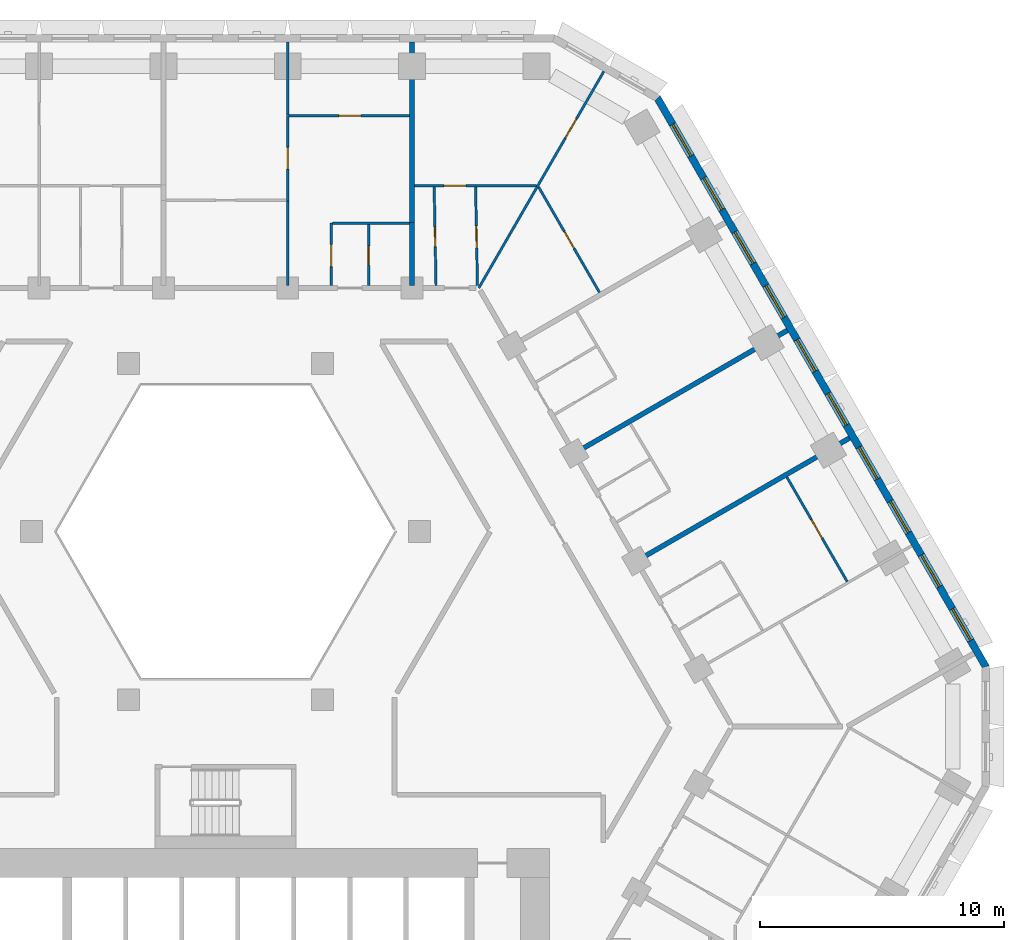
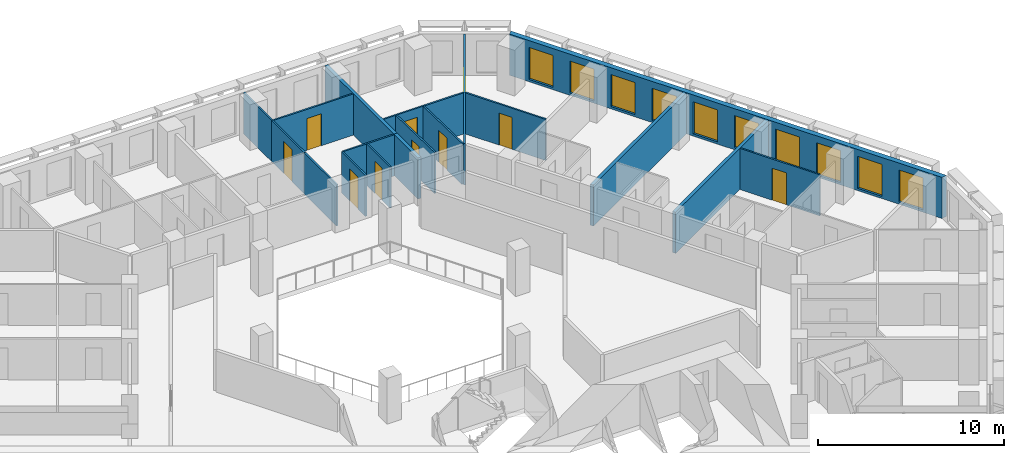
# One storey, part 11 of 21: 18 walls, 10 doors, 10 windows, 20 openings.
"""IFC4 building model written with IfcOpenShell, lengths in metres."""

from ifc_helpers import new_model, si_unit, direction, frame, frame_2d, origin, place, context, subcontext, project, spatial, polyline, rectangle, outline, extrude, material, layer, layer_set, type_object, element, fill, save


model = new_model("IFC4")

# Units and contexts
model_context = context("Model", 3, precision=1e-05, world=origin(), true_north=direction((0.0, 1.0)))
body_context = subcontext(model_context, "Body", "Model", "MODEL_VIEW")
ifc_project = project(units=[si_unit("LENGTHUNIT", "METRE"), si_unit("AREAUNIT", "SQUARE_METRE"), si_unit("VOLUMEUNIT", "CUBIC_METRE"), si_unit("PLANEANGLEUNIT", "RADIAN"), si_unit("MASSUNIT", "GRAM", prefix="KILO")], contexts=[model_context])

# Site, building, storey
site_placement = place(None, origin())
site = spatial("IfcSite", under=ifc_project, at=site_placement, CompositionType="ELEMENT")
building_placement = place(site_placement, origin())
building = spatial("IfcBuilding", under=site, at=building_placement, Name="Beryl Residences", CompositionType="ELEMENT")
storey_placement = place(building_placement, frame((0.0, 0.0, 41.39990234375)))
storey = spatial("IfcBuildingStorey", under=building, at=storey_placement, Name="L12", CompositionType="ELEMENT", Elevation=41.39990234375)

# Wall, openings, windows
ifc_material_1 = material(Name="Composite metal panel with mineral wool insulation")
ifc_layer_1 = layer(ifc_material_1, 0.300048828125)
ifc_layer_set_1 = layer_set([ifc_layer_1], Name="ES1 pale metal composite panel wall 300 mm")
wall_type_1 = type_object("IfcWallType", Name="ES1 pale metal composite panel wall 300 mm", PredefinedType="SOLIDWALL", material=ifc_layer_set_1)
wall_1_placement = place(storey_placement, frame((31.219970703125, 2.425048828125, 0.0), z_axis=(0.0, 0.0, 1.0), x_axis=(-0.500001938803, 0.866024284413, 0.0)))
wall_1 = element("IfcWall", 1, at=wall_1_placement, inside=storey, type_object=wall_type_1, Name="ES1 external wall L12 NE", PredefinedType="SOLIDWALL", context=body_context, shape_type="SweptSolid", body=[
    extrude(outline(polyline([(0.0, -0.14990234375), (27.02001953125, -0.14990234375), (26.939697265625, 0.14990234375), (0.080322265625, 0.14990234375), (0.0, -0.14990234375)])), origin(), (0.0, 0.0, 1.0), 2.7001953125),
])
opening_1_placement = place(wall_1_placement, frame((1.277099609375, 0.0, 0.14990234375)))
opening_1 = element("IfcOpeningElement", 2, at=opening_1_placement, cuts=wall_1, Name="Opening W1", PredefinedType="OPENING", context=body_context, shape_type="SweptSolid", body=[
    extrude(rectangle(XDim=1.5, YDim=2.10009765625, at=frame_2d((0.75, 1.050048828125))), frame((0.0, 0.159912109375, 0.0), z_axis=(0.0, -1.0, 0.0), x_axis=(1.0, 0.0, 0.0)), (0.0, 0.0, 1.0), 0.320068359375),
])
opening_2_placement = place(wall_1_placement, frame((3.8291015625, 0.0, 0.14990234375)))
opening_2 = element("IfcOpeningElement", 3, at=opening_2_placement, cuts=wall_1, Name="Opening W1", PredefinedType="OPENING", context=body_context, shape_type="SweptSolid", body=[
    extrude(rectangle(XDim=1.5, YDim=2.10009765625, at=frame_2d((0.75, 1.050048828125))), frame((0.0, 0.159912109375, 0.0), z_axis=(0.0, -1.0, 0.0), x_axis=(1.0, 0.0, 0.0)), (0.0, 0.0, 1.0), 0.320068359375),
])
opening_3_placement = place(wall_1_placement, frame((6.382080078125, 0.0, 0.14990234375)))
opening_3 = element("IfcOpeningElement", 4, at=opening_3_placement, cuts=wall_1, Name="Opening W1", PredefinedType="OPENING", context=body_context, shape_type="SweptSolid", body=[
    extrude(rectangle(XDim=1.5, YDim=2.10009765625, at=frame_2d((0.75, 1.050048828125))), frame((0.0, 0.159912109375, 0.0), z_axis=(0.0, -1.0, 0.0), x_axis=(1.0, 0.0, 0.0)), (0.0, 0.0, 1.0), 0.320068359375),
])
opening_4_placement = place(wall_1_placement, frame((8.93310546875, 0.0, 0.14990234375)))
opening_4 = element("IfcOpeningElement", 5, at=opening_4_placement, cuts=wall_1, Name="Opening W1", PredefinedType="OPENING", context=body_context, shape_type="SweptSolid", body=[
    extrude(rectangle(XDim=1.5, YDim=2.10009765625, at=frame_2d((0.75, 1.050048828125))), frame((0.0, 0.159912109375, 0.0), z_axis=(0.0, -1.0, 0.0), x_axis=(1.0, 0.0, 0.0)), (0.0, 0.0, 1.0), 0.320068359375),
])
opening_5_placement = place(wall_1_placement, frame((11.485107421875, 0.0, 0.14990234375)))
opening_5 = element("IfcOpeningElement", 6, at=opening_5_placement, cuts=wall_1, Name="Opening W1", PredefinedType="OPENING", context=body_context, shape_type="SweptSolid", body=[
    extrude(rectangle(XDim=1.5, YDim=2.10009765625, at=frame_2d((0.75, 1.050048828125))), frame((0.0, 0.159912109375, 0.0), z_axis=(0.0, -1.0, 0.0), x_axis=(1.0, 0.0, 0.0)), (0.0, 0.0, 1.0), 0.320068359375),
])
opening_6_placement = place(wall_1_placement, frame((14.037109375, 0.0, 0.14990234375)))
opening_6 = element("IfcOpeningElement", 7, at=opening_6_placement, cuts=wall_1, Name="Opening W1", PredefinedType="OPENING", context=body_context, shape_type="SweptSolid", body=[
    extrude(rectangle(XDim=1.5, YDim=2.10009765625, at=frame_2d((0.75, 1.050048828125))), frame((0.0, 0.159912109375, 0.0), z_axis=(0.0, -1.0, 0.0), x_axis=(1.0, 0.0, 0.0)), (0.0, 0.0, 1.0), 0.320068359375),
])
opening_7_placement = place(wall_1_placement, frame((16.589111328125, 0.0, 0.14990234375)))
opening_7 = element("IfcOpeningElement", 8, at=opening_7_placement, cuts=wall_1, Name="Opening W1", PredefinedType="OPENING", context=body_context, shape_type="SweptSolid", body=[
    extrude(rectangle(XDim=1.5, YDim=2.10009765625, at=frame_2d((0.75, 1.050048828125))), frame((0.0, 0.159912109375, 0.0), z_axis=(0.0, -1.0, 0.0), x_axis=(1.0, 0.0, 0.0)), (0.0, 0.0, 1.0), 0.320068359375),
])
opening_8_placement = place(wall_1_placement, frame((19.14111328125, 0.0, 0.14990234375)))
opening_8 = element("IfcOpeningElement", 9, at=opening_8_placement, cuts=wall_1, Name="Opening W1", PredefinedType="OPENING", context=body_context, shape_type="SweptSolid", body=[
    extrude(rectangle(XDim=1.5, YDim=2.10009765625, at=frame_2d((0.75, 1.050048828125))), frame((0.0, 0.159912109375, 0.0), z_axis=(0.0, -1.0, 0.0), x_axis=(1.0, 0.0, 0.0)), (0.0, 0.0, 1.0), 0.320068359375),
])
opening_9_placement = place(wall_1_placement, frame((21.693115234375, 0.0, 0.14990234375)))
opening_9 = element("IfcOpeningElement", 10, at=opening_9_placement, cuts=wall_1, Name="Opening W1", PredefinedType="OPENING", context=body_context, shape_type="SweptSolid", body=[
    extrude(rectangle(XDim=1.5, YDim=2.10009765625, at=frame_2d((0.75, 1.050048828125))), frame((0.0, 0.159912109375, 0.0), z_axis=(0.0, -1.0, 0.0), x_axis=(1.0, 0.0, 0.0)), (0.0, 0.0, 1.0), 0.320068359375),
])
opening_10_placement = place(wall_1_placement, frame((24.243896484375, 0.0, 0.14990234375)))
opening_10 = element("IfcOpeningElement", 11, at=opening_10_placement, cuts=wall_1, Name="Opening W1", PredefinedType="OPENING", context=body_context, shape_type="SweptSolid", body=[
    extrude(rectangle(XDim=1.5, YDim=2.10009765625, at=frame_2d((0.75, 1.050048828125))), frame((0.0, 0.159912109375, 0.0), z_axis=(0.0, -1.0, 0.0), x_axis=(1.0, 0.0, 0.0)), (0.0, 0.0, 1.0), 0.320068359375),
])
ifc_material_2 = material(Name="Aluminium and clear glass", Category="aluminium")
window_type = type_object("IfcWindowType", Name="W1 cell window 1500 x 2100 mm", PartitioningType="SINGLE_PANEL", PredefinedType="WINDOW", material=ifc_material_2)
window_1_placement = place(opening_1_placement, origin())
window_1 = element("IfcWindow", 12, at=window_1_placement, inside=storey, type_object=window_type, Name="W1 window L12 NE 1", OverallHeight=2.10009765625, OverallWidth=1.5, PartitioningType="SINGLE_PANEL", PredefinedType="WINDOW", context=body_context, shape_type="SweptSolid", body=[
    extrude(rectangle(XDim=1.5, YDim=2.10009765625, at=frame_2d((0.75, 1.050048828125))), frame((0.0, 0.030029296875, 0.0), z_axis=(0.0, -1.0, 0.0), x_axis=(1.0, 0.0, 0.0)), (0.0, 0.0, 1.0), 0.06005859375),
])
fill(opening_1, window_1)
window_2_placement = place(opening_2_placement, origin())
window_2 = element("IfcWindow", 13, at=window_2_placement, inside=storey, type_object=window_type, Name="W1 window L12 NE 2", OverallHeight=2.10009765625, OverallWidth=1.5, PartitioningType="SINGLE_PANEL", PredefinedType="WINDOW", context=body_context, shape_type="SweptSolid", body=[
    extrude(rectangle(XDim=1.5, YDim=2.10009765625, at=frame_2d((0.75, 1.050048828125))), frame((0.0, 0.030029296875, 0.0), z_axis=(0.0, -1.0, 0.0), x_axis=(1.0, 0.0, 0.0)), (0.0, 0.0, 1.0), 0.06005859375),
])
fill(opening_2, window_2)
window_3_placement = place(opening_3_placement, origin())
window_3 = element("IfcWindow", 14, at=window_3_placement, inside=storey, type_object=window_type, Name="W1 window L12 NE 3", OverallHeight=2.10009765625, OverallWidth=1.5, PartitioningType="SINGLE_PANEL", PredefinedType="WINDOW", context=body_context, shape_type="SweptSolid", body=[
    extrude(rectangle(XDim=1.5, YDim=2.10009765625, at=frame_2d((0.75, 1.050048828125))), frame((0.0, 0.030029296875, 0.0), z_axis=(0.0, -1.0, 0.0), x_axis=(1.0, 0.0, 0.0)), (0.0, 0.0, 1.0), 0.06005859375),
])
fill(opening_3, window_3)
window_4_placement = place(opening_4_placement, origin())
window_4 = element("IfcWindow", 15, at=window_4_placement, inside=storey, type_object=window_type, Name="W1 window L12 NE 4", OverallHeight=2.10009765625, OverallWidth=1.5, PartitioningType="SINGLE_PANEL", PredefinedType="WINDOW", context=body_context, shape_type="SweptSolid", body=[
    extrude(rectangle(XDim=1.5, YDim=2.10009765625, at=frame_2d((0.75, 1.050048828125))), frame((0.0, 0.030029296875, 0.0), z_axis=(0.0, -1.0, 0.0), x_axis=(1.0, 0.0, 0.0)), (0.0, 0.0, 1.0), 0.06005859375),
])
fill(opening_4, window_4)
window_5_placement = place(opening_5_placement, origin())
window_5 = element("IfcWindow", 16, at=window_5_placement, inside=storey, type_object=window_type, Name="W1 window L12 NE 5", OverallHeight=2.10009765625, OverallWidth=1.5, PartitioningType="SINGLE_PANEL", PredefinedType="WINDOW", context=body_context, shape_type="SweptSolid", body=[
    extrude(rectangle(XDim=1.5, YDim=2.10009765625, at=frame_2d((0.75, 1.050048828125))), frame((0.0, 0.030029296875, 0.0), z_axis=(0.0, -1.0, 0.0), x_axis=(1.0, 0.0, 0.0)), (0.0, 0.0, 1.0), 0.06005859375),
])
fill(opening_5, window_5)
window_6_placement = place(opening_6_placement, origin())
window_6 = element("IfcWindow", 17, at=window_6_placement, inside=storey, type_object=window_type, Name="W1 window L12 NE 6", OverallHeight=2.10009765625, OverallWidth=1.5, PartitioningType="SINGLE_PANEL", PredefinedType="WINDOW", context=body_context, shape_type="SweptSolid", body=[
    extrude(rectangle(XDim=1.5, YDim=2.10009765625, at=frame_2d((0.75, 1.050048828125))), frame((0.0, 0.030029296875, 0.0), z_axis=(0.0, -1.0, 0.0), x_axis=(1.0, 0.0, 0.0)), (0.0, 0.0, 1.0), 0.06005859375),
])
fill(opening_6, window_6)
window_7_placement = place(opening_7_placement, origin())
window_7 = element("IfcWindow", 18, at=window_7_placement, inside=storey, type_object=window_type, Name="W1 window L12 NE 7", OverallHeight=2.10009765625, OverallWidth=1.5, PartitioningType="SINGLE_PANEL", PredefinedType="WINDOW", context=body_context, shape_type="SweptSolid", body=[
    extrude(rectangle(XDim=1.5, YDim=2.10009765625, at=frame_2d((0.75, 1.050048828125))), frame((0.0, 0.030029296875, 0.0), z_axis=(0.0, -1.0, 0.0), x_axis=(1.0, 0.0, 0.0)), (0.0, 0.0, 1.0), 0.06005859375),
])
fill(opening_7, window_7)
window_8_placement = place(opening_8_placement, origin())
window_8 = element("IfcWindow", 19, at=window_8_placement, inside=storey, type_object=window_type, Name="W1 window L12 NE 8", OverallHeight=2.10009765625, OverallWidth=1.5, PartitioningType="SINGLE_PANEL", PredefinedType="WINDOW", context=body_context, shape_type="SweptSolid", body=[
    extrude(rectangle(XDim=1.5, YDim=2.10009765625, at=frame_2d((0.75, 1.050048828125))), frame((0.0, 0.030029296875, 0.0), z_axis=(0.0, -1.0, 0.0), x_axis=(1.0, 0.0, 0.0)), (0.0, 0.0, 1.0), 0.06005859375),
])
fill(opening_8, window_8)
window_9_placement = place(opening_9_placement, origin())
window_9 = element("IfcWindow", 20, at=window_9_placement, inside=storey, type_object=window_type, Name="W1 window L12 NE 9", OverallHeight=2.10009765625, OverallWidth=1.5, PartitioningType="SINGLE_PANEL", PredefinedType="WINDOW", context=body_context, shape_type="SweptSolid", body=[
    extrude(rectangle(XDim=1.5, YDim=2.10009765625, at=frame_2d((0.75, 1.050048828125))), frame((0.0, 0.030029296875, 0.0), z_axis=(0.0, -1.0, 0.0), x_axis=(1.0, 0.0, 0.0)), (0.0, 0.0, 1.0), 0.06005859375),
])
fill(opening_9, window_9)
window_10_placement = place(opening_10_placement, origin())
window_10 = element("IfcWindow", 21, at=window_10_placement, inside=storey, type_object=window_type, Name="W1 window L12 NE 10", OverallHeight=2.10009765625, OverallWidth=1.5, PartitioningType="SINGLE_PANEL", PredefinedType="WINDOW", context=body_context, shape_type="SweptSolid", body=[
    extrude(rectangle(XDim=1.5, YDim=2.10009765625, at=frame_2d((0.75, 1.050048828125))), frame((0.0, 0.030029296875, 0.0), z_axis=(0.0, -1.0, 0.0), x_axis=(1.0, 0.0, 0.0)), (0.0, 0.0, 1.0), 0.06005859375),
])
fill(opening_10, window_10)

# Wall, opening, door
ifc_material_3 = material(Name="Gypsum board partition on steel studs", Category="steel")
ifc_layer_2 = layer(ifc_material_3, 0.10009765625)
ifc_layer_set_2 = layer_set([ifc_layer_2], Name="PT1 partition 100 mm gypsum board on steel studs")
wall_type_2 = type_object("IfcWallType", Name="PT1 partition 100 mm gypsum board on steel studs", PredefinedType="PARTITIONING", material=ifc_layer_set_2)
wall_2_placement = place(storey_placement, frame((12.845947265625, 22.14990234375, 0.0), z_axis=(0.0, 0.0, 1.0), x_axis=(0.500002715276, -0.866023836113, 0.0)))
wall_2 = element("IfcWall", 22, at=wall_2_placement, inside=storey, type_object=wall_type_2, Name="Wall PT1 L12 006", PredefinedType="PARTITIONING", context=body_context, shape_type="SweptSolid", body=[
    extrude(rectangle(XDim=5.001953125, YDim=0.10009765625, at=frame_2d((2.5009765625, 0.0))), origin(), (0.0, 0.0, 1.0), 2.7001953125),
])
opening_11_placement = place(wall_2_placement, frame((2.1220703125, 0.0, 0.0)))
opening_11 = element("IfcOpeningElement", 23, at=opening_11_placement, cuts=wall_2, Name="Opening D0268", PredefinedType="OPENING", context=body_context, shape_type="SweptSolid", body=[
    extrude(rectangle(XDim=0.800048828125, YDim=2.10009765625, at=frame_2d((0.39990234375, 1.050048828125))), frame((0.0, 0.06005859375, 0.0), z_axis=(0.0, -1.0, 0.0), x_axis=(1.0, 0.0, 0.0)), (0.0, 0.0, 1.0), 0.1201171875),
])
ifc_material_4 = material(Name="Timber door leaf", Category="wood")
door_type_1 = type_object("IfcDoorType", Name="D3 bathroom door 800 x 2100 mm", OperationType="SINGLE_SWING_LEFT", PredefinedType="DOOR", material=ifc_material_4)
door_1_placement = place(opening_11_placement, origin())
door_1 = element("IfcDoor", 24, at=door_1_placement, inside=storey, type_object=door_type_1, Name="Door D0268 L12 001", OperationType="SINGLE_SWING_RIGHT", OverallHeight=2.10009765625, OverallWidth=0.800048828125, PredefinedType="DOOR", context=body_context, shape_type="SweptSolid", body=[
    extrude(rectangle(XDim=0.800048828125, YDim=2.10009765625, at=frame_2d((0.39990234375, 1.050048828125))), frame((0.0, 0.02490234375, 0.0), z_axis=(0.0, -1.0, 0.0), x_axis=(1.0, 0.0, 0.0)), (0.0, 0.0, 1.0), 0.050048828125),
])
fill(opening_11, door_1)

wall_3_placement = place(storey_placement, frame((23.037109375, 10.239990234375, 0.0), z_axis=(0.0, 0.0, 1.0), x_axis=(0.499907296314, -0.866078919667, 0.0)))
wall_3 = element("IfcWall", 25, at=wall_3_placement, inside=storey, type_object=wall_type_2, Name="Wall PT1 L12 007", PredefinedType="PARTITIONING", context=body_context, shape_type="SweptSolid", body=[
    extrude(rectangle(XDim=4.95458984375, YDim=0.10009765625, at=frame_2d((2.477294921875, 0.0))), origin(), (0.0, 0.0, 1.0), 2.7001953125),
])
opening_12_placement = place(wall_3_placement, frame((2.001953125, 0.0, 0.0)))
opening_12 = element("IfcOpeningElement", 26, at=opening_12_placement, cuts=wall_3, Name="Opening D0254", PredefinedType="OPENING", context=body_context, shape_type="SweptSolid", body=[
    extrude(rectangle(XDim=0.89990234375, YDim=2.10009765625, at=frame_2d((0.449951171875, 1.050048828125))), frame((0.0, 0.06005859375, 0.0), z_axis=(0.0, -1.0, 0.0), x_axis=(1.0, 0.0, 0.0)), (0.0, 0.0, 1.0), 0.1201171875),
])
ifc_material_5 = material(Name="Timber door leaf", Category="wood")
door_type_2 = type_object("IfcDoorType", Name="D2 room door 900 x 2100 mm", OperationType="SINGLE_SWING_LEFT", PredefinedType="DOOR", material=ifc_material_5)
door_2_placement = place(opening_12_placement, origin())
door_2 = element("IfcDoor", 27, at=door_2_placement, inside=storey, type_object=door_type_2, Name="Door D0254 L12 001", OperationType="SINGLE_SWING_RIGHT", OverallHeight=2.10009765625, OverallWidth=0.89990234375, PredefinedType="DOOR", context=body_context, shape_type="SweptSolid", body=[
    extrude(rectangle(XDim=0.89990234375, YDim=2.10009765625, at=frame_2d((0.449951171875, 1.050048828125))), frame((0.0, 0.02490234375, 0.0), z_axis=(0.0, -1.0, 0.0), x_axis=(1.0, 0.0, 0.0)), (0.0, 0.0, 1.0), 0.050048828125),
])
fill(opening_12, door_2)

wall_4_placement = place(storey_placement, frame((8.56201171875, 22.14990234375, 0.0), z_axis=(0.0, 0.0, 1.0), x_axis=(0.018504185939, -0.999828782894, 0.0)))
wall_4 = element("IfcWall", 28, at=wall_4_placement, inside=storey, type_object=wall_type_2, Name="Wall PT1 L12 008", PredefinedType="PARTITIONING", context=body_context, shape_type="SweptSolid", body=[
    extrude(rectangle(XDim=4.050537109375, YDim=0.10009765625, at=frame_2d((2.025390625, 0.0))), origin(), (0.0, 0.0, 1.0), 2.7001953125),
])
opening_13_placement = place(wall_4_placement, frame((1.64990234375, 0.0, 0.0)))
opening_13 = element("IfcOpeningElement", 29, at=opening_13_placement, cuts=wall_4, Name="Opening D0264", PredefinedType="OPENING", context=body_context, shape_type="SweptSolid", body=[
    extrude(rectangle(XDim=0.800048828125, YDim=2.10009765625, at=frame_2d((0.39990234375, 1.050048828125))), frame((0.0, 0.06005859375, 0.0), z_axis=(0.0, -1.0, 0.0), x_axis=(1.0, 0.0, 0.0)), (0.0, 0.0, 1.0), 0.1201171875),
])
door_3_placement = place(opening_13_placement, origin())
door_3 = element("IfcDoor", 30, at=door_3_placement, inside=storey, type_object=door_type_1, Name="Door D0264 L12 001", OperationType="SINGLE_SWING_RIGHT", OverallHeight=2.10009765625, OverallWidth=0.800048828125, PredefinedType="DOOR", context=body_context, shape_type="SweptSolid", body=[
    extrude(rectangle(XDim=0.800048828125, YDim=2.10009765625, at=frame_2d((0.39990234375, 1.050048828125))), frame((0.0, 0.02490234375, 0.0), z_axis=(0.0, -1.0, 0.0), x_axis=(1.0, 0.0, 0.0)), (0.0, 0.0, 1.0), 0.050048828125),
])
fill(opening_13, door_3)

wall_5_placement = place(storey_placement, frame((10.261962890625, 22.14990234375, 0.0), z_axis=(0.0, 0.0, 1.0), x_axis=(0.018730524712, -0.999824568334, 0.0)))
wall_5 = element("IfcWall", 31, at=wall_5_placement, inside=storey, type_object=wall_type_2, Name="Wall PT1 L12 009", PredefinedType="PARTITIONING", context=body_context, shape_type="SweptSolid", body=[
    extrude(rectangle(XDim=4.0537109375, YDim=0.10009765625, at=frame_2d((2.02685546875, 0.0))), origin(), (0.0, 0.0, 1.0), 2.7001953125),
])
opening_14_placement = place(wall_5_placement, frame((1.60009765625, 0.0, 0.0)))
opening_14 = element("IfcOpeningElement", 32, at=opening_14_placement, cuts=wall_5, Name="Opening D0265", PredefinedType="OPENING", context=body_context, shape_type="SweptSolid", body=[
    extrude(rectangle(XDim=0.89990234375, YDim=2.10009765625, at=frame_2d((0.449951171875, 1.050048828125))), frame((0.0, 0.06005859375, 0.0), z_axis=(0.0, -1.0, 0.0), x_axis=(1.0, 0.0, 0.0)), (0.0, 0.0, 1.0), 0.1201171875),
])
door_4_placement = place(opening_14_placement, origin())
door_4 = element("IfcDoor", 33, at=door_4_placement, inside=storey, type_object=door_type_2, Name="Door D0265 L12 001", OperationType="SINGLE_SWING_LEFT", OverallHeight=2.10009765625, OverallWidth=0.89990234375, PredefinedType="DOOR", context=body_context, shape_type="SweptSolid", body=[
    extrude(rectangle(XDim=0.89990234375, YDim=2.10009765625, at=frame_2d((0.449951171875, 1.050048828125))), frame((0.0, 0.02490234375, 0.0), z_axis=(0.0, -1.0, 0.0), x_axis=(1.0, 0.0, 0.0)), (0.0, 0.0, 1.0), 0.050048828125),
])
fill(opening_14, door_4)

# Walls
wall_6_placement = place(storey_placement, frame((2.551025390625, 28.10009765625, 0.0), z_axis=(0.0, 0.0, 1.0), x_axis=(0.0, -1.0, 0.0)))
element("IfcWall", 34, at=wall_6_placement, inside=storey, type_object=wall_type_2, Name="Wall PT1 L12 013", PredefinedType="PARTITIONING", context=body_context, shape_type="SweptSolid", body=[
    extrude(rectangle(XDim=3.0, YDim=0.10009765625, at=frame_2d((1.5, 0.0))), origin(), (0.0, 0.0, 1.0), 2.7001953125),
])
wall_7_placement = place(storey_placement, frame((2.551025390625, 21.570068359375, 0.0), z_axis=(0.0, 0.0, 1.0), x_axis=(0.0, -1.0, 0.0)))
element("IfcWall", 35, at=wall_7_placement, inside=storey, type_object=wall_type_2, Name="Wall PT1 L12 014", PredefinedType="PARTITIONING", context=body_context, shape_type="SweptSolid", body=[
    extrude(rectangle(XDim=3.469970703125, YDim=0.10009765625, at=frame_2d((1.73486328125, 0.0))), origin(), (0.0, 0.0, 1.0), 2.7001953125),
])
wall_8_placement = place(storey_placement, frame((4.387939453125, 20.659912109375, 0.0), z_axis=(0.0, 0.0, 1.0), x_axis=(1.0, 0.0, 0.0)))
element("IfcWall", 36, at=wall_8_placement, inside=storey, type_object=wall_type_2, Name="Wall PT1 L12 035", PredefinedType="PARTITIONING", context=body_context, shape_type="SweptSolid", body=[
    extrude(rectangle(XDim=3.1669921875, YDim=0.10009765625, at=frame_2d((1.58349609375, 0.0))), origin(), (0.0, 0.0, 1.0), 2.7001953125),
])

# Wall, opening, door
wall_9_placement = place(storey_placement, frame((7.7548828125, 22.199951171875, 0.0), z_axis=(0.0, 0.0, 1.0), x_axis=(1.0, 0.0, 0.0)))
wall_9 = element("IfcWall", 37, at=wall_9_placement, inside=storey, type_object=wall_type_2, Name="Wall PT1 L12 038", PredefinedType="PARTITIONING", context=body_context, shape_type="SweptSolid", body=[
    extrude(rectangle(XDim=5.005126953125, YDim=0.10009765625, at=frame_2d((2.50244140625, 0.0))), origin(), (0.0, 0.0, 1.0), 2.7001953125),
])
opening_15_placement = place(wall_9_placement, frame((1.2060546875, 0.0, 0.0)))
opening_15 = element("IfcOpeningElement", 38, at=opening_15_placement, cuts=wall_9, Name="Opening D0266", PredefinedType="OPENING", context=body_context, shape_type="SweptSolid", body=[
    extrude(rectangle(XDim=0.89990234375, YDim=2.10009765625, at=frame_2d((0.449951171875, 1.050048828125))), frame((0.0, 0.06005859375, 0.0), z_axis=(0.0, -1.0, 0.0), x_axis=(1.0, 0.0, 0.0)), (0.0, 0.0, 1.0), 0.1201171875),
])
door_5_placement = place(opening_15_placement, origin())
door_5 = element("IfcDoor", 39, at=door_5_placement, inside=storey, type_object=door_type_2, Name="Door D0266 L12 001", OperationType="SINGLE_SWING_RIGHT", OverallHeight=2.10009765625, OverallWidth=0.89990234375, PredefinedType="DOOR", context=body_context, shape_type="SweptSolid", body=[
    extrude(rectangle(XDim=0.89990234375, YDim=2.10009765625, at=frame_2d((0.449951171875, 1.050048828125))), frame((0.0, 0.02490234375, 0.0), z_axis=(0.0, -1.0, 0.0), x_axis=(1.0, 0.0, 0.0)), (0.0, 0.0, 1.0), 0.050048828125),
])
fill(opening_15, door_5)

wall_10_placement = place(storey_placement, frame((2.60107421875, 25.070068359375, 0.0), z_axis=(0.0, 0.0, 1.0), x_axis=(1.0, 0.0, 0.0)))
wall_10 = element("IfcWall", 40, at=wall_10_placement, inside=storey, type_object=wall_type_2, Name="Wall PT1 L12 039", PredefinedType="PARTITIONING", context=body_context, shape_type="SweptSolid", body=[
    extrude(rectangle(XDim=4.953857421875, YDim=0.10009765625, at=frame_2d((2.47705078125, 0.0))), origin(), (0.0, 0.0, 1.0), 2.7001953125),
])
opening_16_placement = place(wall_10_placement, frame((2.052001953125, 0.0, 0.0)))
opening_16 = element("IfcOpeningElement", 41, at=opening_16_placement, cuts=wall_10, Name="Opening D0272", PredefinedType="OPENING", context=body_context, shape_type="SweptSolid", body=[
    extrude(rectangle(XDim=0.89990234375, YDim=2.10009765625, at=frame_2d((0.449951171875, 1.050048828125))), frame((0.0, 0.06005859375, 0.0), z_axis=(0.0, -1.0, 0.0), x_axis=(1.0, 0.0, 0.0)), (0.0, 0.0, 1.0), 0.1201171875),
])
door_6_placement = place(opening_16_placement, origin())
door_6 = element("IfcDoor", 42, at=door_6_placement, inside=storey, type_object=door_type_2, Name="Door D0272 L12 001", OperationType="SINGLE_SWING_RIGHT", OverallHeight=2.10009765625, OverallWidth=0.89990234375, PredefinedType="DOOR", context=body_context, shape_type="SweptSolid", body=[
    extrude(rectangle(XDim=0.89990234375, YDim=2.10009765625, at=frame_2d((0.449951171875, 1.050048828125))), frame((0.0, 0.02490234375, 0.0), z_axis=(0.0, -1.0, 0.0), x_axis=(1.0, 0.0, 0.0)), (0.0, 0.0, 1.0), 0.050048828125),
])
fill(opening_16, door_6)

wall_11_placement = place(storey_placement, frame((10.39306640625, 18.0, 0.0), z_axis=(0.0, 0.0, 1.0), x_axis=(0.499945497007, 0.866056868816, 0.0)))
wall_11 = element("IfcWall", 43, at=wall_11_placement, inside=storey, type_object=wall_type_2, Name="Wall PT1 L12 041", PredefinedType="PARTITIONING", context=body_context, shape_type="SweptSolid", body=[
    extrude(rectangle(XDim=10.264892578125, YDim=0.10009765625, at=frame_2d((5.13232421875, 0.0))), origin(), (0.0, 0.0, 1.0), 2.7001953125),
])
opening_17_placement = place(wall_11_placement, frame((7.10791015625, 0.0, 0.0)))
opening_17 = element("IfcOpeningElement", 44, at=opening_17_placement, cuts=wall_11, Name="Opening D0267", PredefinedType="OPENING", context=body_context, shape_type="SweptSolid", body=[
    extrude(rectangle(XDim=0.89990234375, YDim=2.10009765625, at=frame_2d((0.449951171875, 1.050048828125))), frame((0.0, 0.06005859375, 0.0), z_axis=(0.0, -1.0, 0.0), x_axis=(1.0, 0.0, 0.0)), (0.0, 0.0, 1.0), 0.1201171875),
])
door_7_placement = place(opening_17_placement, origin())
door_7 = element("IfcDoor", 45, at=door_7_placement, inside=storey, type_object=door_type_2, Name="Door D0267 L12 001", OperationType="SINGLE_SWING_LEFT", OverallHeight=2.10009765625, OverallWidth=0.89990234375, PredefinedType="DOOR", context=body_context, shape_type="SweptSolid", body=[
    extrude(rectangle(XDim=0.89990234375, YDim=2.10009765625, at=frame_2d((0.449951171875, 1.050048828125))), frame((0.0, 0.02490234375, 0.0), z_axis=(0.0, -1.0, 0.0), x_axis=(1.0, 0.0, 0.0)), (0.0, 0.0, 1.0), 0.050048828125),
])
fill(opening_17, door_7)

wall_12_placement = place(storey_placement, frame((4.3369140625, 18.10009765625, 0.0), z_axis=(0.0, 0.0, 1.0), x_axis=(0.0, 1.0, 0.0)))
wall_12 = element("IfcWall", 46, at=wall_12_placement, inside=storey, type_object=wall_type_2, Name="Wall PT1 L12 046", PredefinedType="PARTITIONING", context=body_context, shape_type="SweptSolid", body=[
    extrude(rectangle(XDim=2.558837890625, YDim=0.10009765625, at=frame_2d((1.279296875, 0.0))), origin(), (0.0, 0.0, 1.0), 2.7001953125),
])
opening_18_placement = place(wall_12_placement, frame((0.780029296875, 0.0, 0.0)))
opening_18 = element("IfcOpeningElement", 47, at=opening_18_placement, cuts=wall_12, Name="Opening D0270", PredefinedType="OPENING", context=body_context, shape_type="SweptSolid", body=[
    extrude(rectangle(XDim=0.89990234375, YDim=2.10009765625, at=frame_2d((0.449951171875, 1.050048828125))), frame((0.0, 0.06005859375, 0.0), z_axis=(0.0, -1.0, 0.0), x_axis=(1.0, 0.0, 0.0)), (0.0, 0.0, 1.0), 0.1201171875),
])
door_8_placement = place(opening_18_placement, origin())
door_8 = element("IfcDoor", 48, at=door_8_placement, inside=storey, type_object=door_type_2, Name="Door D0270 L12 001", OperationType="SINGLE_SWING_RIGHT", OverallHeight=2.10009765625, OverallWidth=0.89990234375, PredefinedType="DOOR", context=body_context, shape_type="SweptSolid", body=[
    extrude(rectangle(XDim=0.89990234375, YDim=2.10009765625, at=frame_2d((0.449951171875, 1.050048828125))), frame((0.0, 0.02490234375, 0.0), z_axis=(0.0, -1.0, 0.0), x_axis=(1.0, 0.0, 0.0)), (0.0, 0.0, 1.0), 0.050048828125),
])
fill(opening_18, door_8)

wall_13_placement = place(storey_placement, frame((5.868896484375, 18.10009765625, 0.0), z_axis=(0.0, 0.0, 1.0), x_axis=(0.0, 1.0, 0.0)))
wall_13 = element("IfcWall", 49, at=wall_13_placement, inside=storey, type_object=wall_type_2, Name="Wall PT1 L12 047", PredefinedType="PARTITIONING", context=body_context, shape_type="SweptSolid", body=[
    extrude(rectangle(XDim=2.510009765625, YDim=0.10009765625, at=frame_2d((1.2548828125, 0.0))), origin(), (0.0, 0.0, 1.0), 2.7001953125),
])
opening_19_placement = place(wall_13_placement, frame((0.830078125, 0.0, 0.0)))
opening_19 = element("IfcOpeningElement", 50, at=opening_19_placement, cuts=wall_13, Name="Opening D0271", PredefinedType="OPENING", context=body_context, shape_type="SweptSolid", body=[
    extrude(rectangle(XDim=0.800048828125, YDim=2.10009765625, at=frame_2d((0.39990234375, 1.050048828125))), frame((0.0, 0.06005859375, 0.0), z_axis=(0.0, -1.0, 0.0), x_axis=(1.0, 0.0, 0.0)), (0.0, 0.0, 1.0), 0.1201171875),
])
door_9_placement = place(opening_19_placement, origin())
door_9 = element("IfcDoor", 51, at=door_9_placement, inside=storey, type_object=door_type_1, Name="Door D0271 L12 001", OperationType="SINGLE_SWING_LEFT", OverallHeight=2.10009765625, OverallWidth=0.800048828125, PredefinedType="DOOR", context=body_context, shape_type="SweptSolid", body=[
    extrude(rectangle(XDim=0.800048828125, YDim=2.10009765625, at=frame_2d((0.39990234375, 1.050048828125))), frame((0.0, 0.02490234375, 0.0), z_axis=(0.0, -1.0, 0.0), x_axis=(1.0, 0.0, 0.0)), (0.0, 0.0, 1.0), 0.050048828125),
])
fill(opening_19, door_9)

wall_14_placement = place(storey_placement, frame((2.551025390625, 21.580078125, 0.0), z_axis=(0.0, 0.0, 1.0), x_axis=(0.0, 1.0, 0.0)))
wall_14 = element("IfcWall", 52, at=wall_14_placement, inside=storey, type_object=wall_type_2, Name="Wall PT1 L12 054", PredefinedType="PARTITIONING", context=body_context, shape_type="SweptSolid", body=[
    extrude(rectangle(XDim=3.489990234375, YDim=0.10009765625, at=frame_2d((1.7451171875, 0.0))), origin(), (0.0, 0.0, 1.0), 2.7001953125),
])
opening_20_placement = place(wall_14_placement, frame((1.294921875, 0.0, 0.0)))
opening_20 = element("IfcOpeningElement", 53, at=opening_20_placement, cuts=wall_14, Name="Opening D0273", PredefinedType="OPENING", context=body_context, shape_type="SweptSolid", body=[
    extrude(rectangle(XDim=0.89990234375, YDim=2.10009765625, at=frame_2d((0.449951171875, 1.050048828125))), frame((0.0, 0.06005859375, 0.0), z_axis=(0.0, -1.0, 0.0), x_axis=(1.0, 0.0, 0.0)), (0.0, 0.0, 1.0), 0.1201171875),
])
door_10_placement = place(opening_20_placement, origin())
door_10 = element("IfcDoor", 54, at=door_10_placement, inside=storey, type_object=door_type_2, Name="Door D0273 L12 001", OperationType="SINGLE_SWING_LEFT", OverallHeight=2.10009765625, OverallWidth=0.89990234375, PredefinedType="DOOR", context=body_context, shape_type="SweptSolid", body=[
    extrude(rectangle(XDim=0.89990234375, YDim=2.10009765625, at=frame_2d((0.449951171875, 1.050048828125))), frame((0.0, 0.02490234375, 0.0), z_axis=(0.0, -1.0, 0.0), x_axis=(1.0, 0.0, 0.0)), (0.0, 0.0, 1.0), 0.050048828125),
])
fill(opening_20, door_10)

# Walls
ifc_material_6 = material(Name="Acoustic double stud gypsum board wall")
ifc_layer_3 = layer(ifc_material_6, 0.199951171875)
ifc_layer_set_3 = layer_set([ifc_layer_3], Name="PT3 party wall 200 mm acoustic double stud")
wall_type_3 = type_object("IfcWallType", Name="PT3 party wall 200 mm acoustic double stud", PredefinedType="PARTITIONING", material=ifc_layer_set_3)
wall_15_placement = place(storey_placement, frame((7.655029296875, 20.679931640625, 0.0), z_axis=(0.0, 0.0, 1.0), x_axis=(0.0, -1.0, 0.0)))
element("IfcWall", 55, at=wall_15_placement, inside=storey, type_object=wall_type_3, Name="Wall PT3 L12 005", PredefinedType="PARTITIONING", context=body_context, shape_type="SweptSolid", body=[
    extrude(rectangle(XDim=2.579833984375, YDim=0.199951171875, at=frame_2d((1.2900390625, 0.0))), origin(), (0.0, 0.0, 1.0), 2.7001953125),
])
wall_16_placement = place(storey_placement, frame((7.655029296875, 20.639892578125, 0.0), z_axis=(0.0, 0.0, 1.0), x_axis=(0.0, 1.0, 0.0)))
element("IfcWall", 56, at=wall_16_placement, inside=storey, type_object=wall_type_3, Name="Wall PT3 L12 019", PredefinedType="PARTITIONING", context=body_context, shape_type="SweptSolid", body=[
    extrude(rectangle(XDim=7.460205078125, YDim=0.199951171875, at=frame_2d((3.72998046875, 0.0))), origin(), (0.0, 0.0, 1.0), 2.7001953125),
])
for number, where, z_axis, x_axis, name in (
    (57, (16.949951171875, 6.841064453125, 0.0), (0.0, 0.0, 1.0), (0.866022959057, 0.500004234368, 0.0), "Wall PT3 L12 026"),
    (58, (14.39892578125, 11.260986328125, 0.0), (0.0, 0.0, 1.0), (0.866022959057, 0.500004234368, 0.0), "Wall PT3 L12 029"),
):
    element("IfcWall", number, at=place(storey_placement, frame(where, z_axis=z_axis, x_axis=x_axis)), inside=storey, type_object=wall_type_3, Name=name, PredefinedType="PARTITIONING", context=body_context, shape_type="SweptSolid", body=[
        extrude(rectangle(XDim=10.0, YDim=0.199951171875, at=frame_2d((5.0, 0.0))), origin(), (0.0, 0.0, 1.0), 2.7001953125),
    ])

save(model, "model.ifc")
